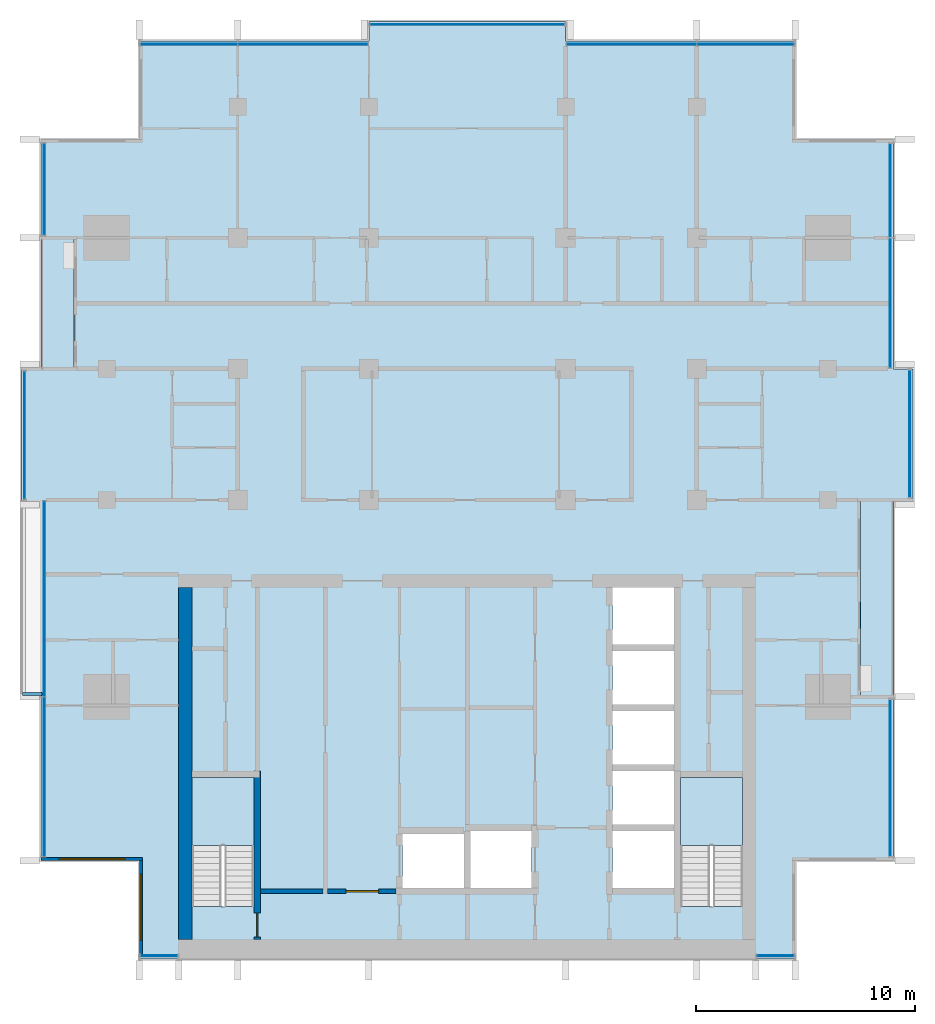
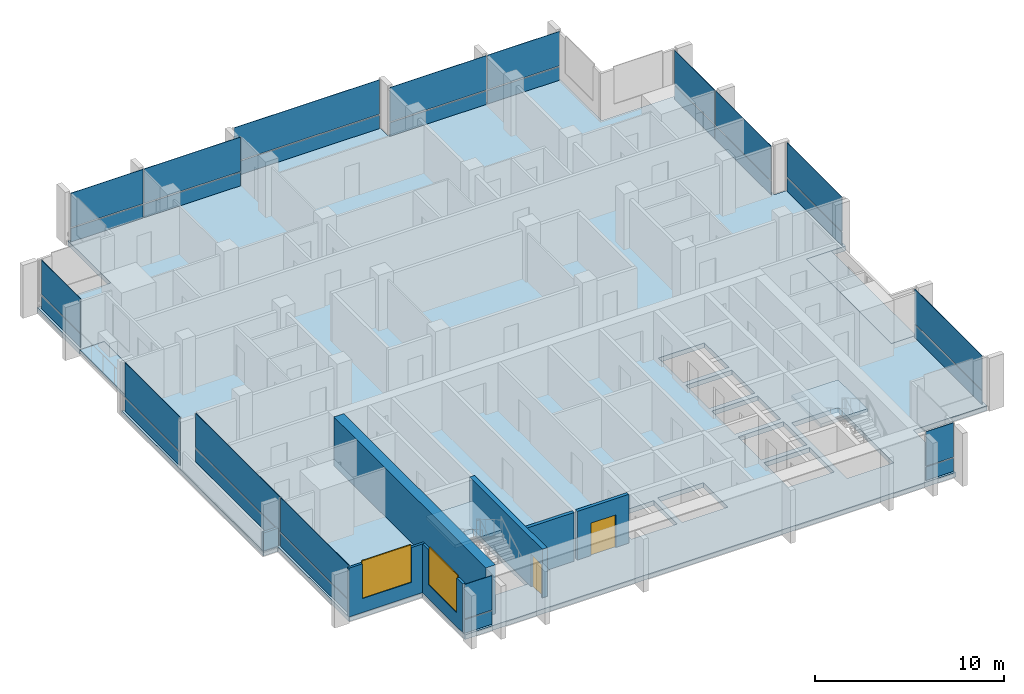
# One storey, part 6 of 16: 30 plates, 7 walls, 5 slabs, 2 doors, 2 windows, 4 openings, 13 elements without a shape of their own.
"""IFC4 building model written with IfcOpenShell, lengths in metres."""

from ifc_helpers import new_model, si_unit, direction, frame, frame_2d, origin, origin_2d, place, context, subcontext, project, spatial, polyline, rectangle, outline, extrude, material, layer, layer_set, type_object, element, fill, aggregate, save


model = new_model("IFC4")

# Units and contexts
model_context = context("Model", 3, precision=1e-05, world=origin(), true_north=direction((0.0, 1.0)))
body_context = subcontext(model_context, "Body", "Model", "MODEL_VIEW")
ifc_project = project(units=[si_unit("LENGTHUNIT", "METRE"), si_unit("AREAUNIT", "SQUARE_METRE"), si_unit("VOLUMEUNIT", "CUBIC_METRE"), si_unit("PLANEANGLEUNIT", "RADIAN"), si_unit("MASSUNIT", "GRAM", prefix="KILO")], contexts=[model_context])

# Site, building, storey
site_placement = place(None, origin())
site = spatial("IfcSite", under=ifc_project, at=site_placement, CompositionType="ELEMENT")
building_placement = place(site_placement, origin())
building = spatial("IfcBuilding", under=site, at=building_placement, Name="Finial Court Residences", CompositionType="ELEMENT")
storey_placement = place(building_placement, frame((0.0, 0.0, 244.699951171875)))
storey = spatial("IfcBuildingStorey", under=building, at=storey_placement, Name="L62", CompositionType="ELEMENT", Elevation=244.699951171875)

# Slabs
ifc_material_1 = material(Name="Concrete C35/45", Category="concrete")
ifc_layer_1 = layer(ifc_material_1, 0.199951171875)
ifc_layer_set_1 = layer_set([ifc_layer_1], Name="Balcony slab, Concrete C35/45 200")
slab_type_1 = type_object("IfcSlabType", Name="Balcony slab, Concrete C35/45 200", PredefinedType="FLOOR", material=ifc_layer_set_1)
slab_1_placement = place(storey_placement, frame((0.0, 0.0, -0.199951171875)))
element("IfcSlab", 1, at=slab_1_placement, inside=storey, type_object=slab_type_1, Name="Balcony L62-E2", PredefinedType="FLOOR", context=body_context, shape_type="SweptSolid", body=[
    extrude(outline(polyline([(19.5, -13.5), (19.5, -4.5), (18.0, -4.5), (18.0, -13.5), (19.5, -13.5)])), origin(), (0.0, 0.0, 1.0), 0.199951171875),
])
slab_2_placement = place(storey_placement, frame((0.0, 0.0, -0.199951171875)))
element("IfcSlab", 2, at=slab_2_placement, inside=storey, type_object=slab_type_1, Name="Balcony L62-W4", PredefinedType="FLOOR", context=body_context, shape_type="SweptSolid", body=[
    extrude(outline(polyline([(-18.0, 1.5), (-18.0, 7.5), (-19.5, 7.5), (-19.5, 1.5), (-18.0, 1.5)])), origin(), (0.0, 0.0, 1.0), 0.199951171875),
])

# Curtain wall, plates
ifc_material_2 = material(Name="Bronze anodised aluminium", Category="aluminium")
curtain_wall_type = type_object("IfcCurtainWallType", Name="Unitised curtain wall, upper zones", PredefinedType="NOTDEFINED", material=ifc_material_2)
curtain_wall_1_placement = place(storey_placement, origin())
curtain_wall_1 = element("IfcCurtainWall", 3, at=curtain_wall_1_placement, inside=storey, type_object=curtain_wall_type, Name="E-L62-CW-N1", PredefinedType="NOTDEFINED")
ifc_layer_2 = layer(ifc_material_2, 0.035888671875)
ifc_layer_set_2 = layer_set([ifc_layer_2], Name="CW2 spandrel panel 36")
plate_type_1 = type_object("IfcPlateType", Name="CW2 spandrel panel 36", PredefinedType="CURTAIN_PANEL", material=ifc_layer_set_2)
plate_1_placement = place(storey_placement, frame((-12.735107421875, 16.35009765625, 0.0), z_axis=(0.0, 0.0, 1.0), x_axis=(1.0, 0.0, 0.0)))
plate_1 = element("IfcPlate", 4, at=plate_1_placement, type_object=plate_type_1, Name="CW2 spandrel 1.1", PredefinedType="CURTAIN_PANEL", context=body_context, shape_type="SweptSolid", body=[
    extrude(rectangle(XDim=4.409912109375, YDim=0.035888671875, at=origin_2d()), origin(), (0.0, 0.0, 1.0), 0.8701171875),
])
plate_2_placement = place(storey_placement, frame((-7.514892578125, 16.35009765625, 0.0), z_axis=(0.0, 0.0, 1.0), x_axis=(1.0, 0.0, 0.0)))
plate_2 = element("IfcPlate", 5, at=plate_2_placement, type_object=plate_type_1, Name="CW2 spandrel 2.1", PredefinedType="CURTAIN_PANEL", context=body_context, shape_type="SweptSolid", body=[
    extrude(rectangle(XDim=5.909912109375, YDim=0.035888671875, at=origin_2d()), origin(), (0.0, 0.0, 1.0), 0.8701171875),
])

# Curtain wall, plate
curtain_wall_2_placement = place(storey_placement, origin())
curtain_wall_2 = element("IfcCurtainWall", 6, at=curtain_wall_2_placement, inside=storey, type_object=curtain_wall_type, Name="E-L62-CW-N2", PredefinedType="NOTDEFINED")
plate_3_placement = place(storey_placement, frame((0.0, 17.25, 0.0), z_axis=(0.0, 0.0, 1.0), x_axis=(1.0, 0.0, 0.0)))
plate_3 = element("IfcPlate", 7, at=plate_3_placement, type_object=plate_type_1, Name="CW2 spandrel 1.1", PredefinedType="CURTAIN_PANEL", context=body_context, shape_type="SweptSolid", body=[
    extrude(rectangle(XDim=8.8798828125, YDim=0.035888671875, at=origin_2d()), origin(), (0.0, 0.0, 1.0), 0.8701171875),
])

# Curtain wall, plates
curtain_wall_3_placement = place(storey_placement, origin())
curtain_wall_3 = element("IfcCurtainWall", 8, at=curtain_wall_3_placement, inside=storey, type_object=curtain_wall_type, Name="E-L62-CW-N3", PredefinedType="NOTDEFINED")
plate_4_placement = place(storey_placement, frame((7.514892578125, 16.35009765625, 0.0), z_axis=(0.0, 0.0, 1.0), x_axis=(1.0, 0.0, 0.0)))
plate_4 = element("IfcPlate", 9, at=plate_4_placement, type_object=plate_type_1, Name="CW2 spandrel 1.1", PredefinedType="CURTAIN_PANEL", context=body_context, shape_type="SweptSolid", body=[
    extrude(rectangle(XDim=5.909912109375, YDim=0.035888671875, at=origin_2d()), origin(), (0.0, 0.0, 1.0), 0.8701171875),
])
plate_5_placement = place(storey_placement, frame((12.735107421875, 16.35009765625, 0.0), z_axis=(0.0, 0.0, 1.0), x_axis=(1.0, 0.0, 0.0)))
plate_5 = element("IfcPlate", 10, at=plate_5_placement, type_object=plate_type_1, Name="CW2 spandrel 2.1", PredefinedType="CURTAIN_PANEL", context=body_context, shape_type="SweptSolid", body=[
    extrude(rectangle(XDim=4.409912109375, YDim=0.035888671875, at=origin_2d()), origin(), (0.0, 0.0, 1.0), 0.8701171875),
])

# Curtain wall, plate
curtain_wall_4_placement = place(storey_placement, origin())
curtain_wall_4 = element("IfcCurtainWall", 11, at=curtain_wall_4_placement, inside=storey, type_object=curtain_wall_type, Name="E-L62-CW-E4", PredefinedType="NOTDEFINED")
plate_6_placement = place(storey_placement, frame((19.35009765625, -17.21240234375, 0.0), z_axis=(0.0, 0.0, 1.0), x_axis=(0.0, 1.0, 0.0)))
plate_6 = element("IfcPlate", 12, at=plate_6_placement, type_object=plate_type_1, Name="CW2 spandrel 1.1", PredefinedType="CURTAIN_PANEL", context=body_context, shape_type="SweptSolid", body=[
    extrude(rectangle(XDim=7.155029296875, YDim=0.035888671875, at=origin_2d()), origin(), (0.0, 0.0, 1.0), 0.8701171875),
])

curtain_wall_5_placement = place(storey_placement, origin())
curtain_wall_5 = element("IfcCurtainWall", 13, at=curtain_wall_5_placement, inside=storey, type_object=curtain_wall_type, Name="E-L62-CW-E5", PredefinedType="NOTDEFINED")
plate_7_placement = place(storey_placement, frame((20.25, -1.46240234375, 0.0), z_axis=(0.0, 0.0, 1.0), x_axis=(0.0, 1.0, 0.0)))
plate_7 = element("IfcPlate", 14, at=plate_7_placement, type_object=plate_type_1, Name="CW2 spandrel 1.1", PredefinedType="CURTAIN_PANEL", context=body_context, shape_type="SweptSolid", body=[
    extrude(rectangle(XDim=5.804931640625, YDim=0.035888671875, at=origin_2d()), origin(), (0.0, 0.0, 1.0), 0.8701171875),
])

# Curtain wall, plates
curtain_wall_6_placement = place(storey_placement, origin())
curtain_wall_6 = element("IfcCurtainWall", 15, at=curtain_wall_6_placement, inside=storey, type_object=curtain_wall_type, Name="E-L62-CW-E6", PredefinedType="NOTDEFINED")
plate_8_placement = place(storey_placement, frame((19.35009765625, 4.514892578125, 0.0), z_axis=(0.0, 0.0, 1.0), x_axis=(0.0, 1.0, 0.0)))
plate_8 = element("IfcPlate", 16, at=plate_8_placement, type_object=plate_type_1, Name="CW2 spandrel 1.1", PredefinedType="CURTAIN_PANEL", context=body_context, shape_type="SweptSolid", body=[
    extrude(rectangle(XDim=5.909912109375, YDim=0.035888671875, at=origin_2d()), origin(), (0.0, 0.0, 1.0), 0.8701171875),
])
plate_9_placement = place(storey_placement, frame((19.35009765625, 9.659912109375, 0.0), z_axis=(0.0, 0.0, 1.0), x_axis=(0.0, 1.0, 0.0)))
plate_9 = element("IfcPlate", 17, at=plate_9_placement, type_object=plate_type_1, Name="CW2 spandrel 2.1", PredefinedType="CURTAIN_PANEL", context=body_context, shape_type="SweptSolid", body=[
    extrude(rectangle(XDim=4.260009765625, YDim=0.035888671875, at=origin_2d()), origin(), (0.0, 0.0, 1.0), 0.8701171875),
])

# Curtain wall, plate
curtain_wall_7_placement = place(storey_placement, origin())
curtain_wall_7 = element("IfcCurtainWall", 18, at=curtain_wall_7_placement, inside=storey, type_object=curtain_wall_type, Name="E-L62-CW-S7", PredefinedType="NOTDEFINED")
plate_10_placement = place(storey_placement, frame((-14.10009765625, -25.35009765625, 0.0), z_axis=(0.0, 0.0, 1.0), x_axis=(1.0, 0.0, 0.0)))
plate_10 = element("IfcPlate", 19, at=plate_10_placement, type_object=plate_type_1, Name="CW2 spandrel 1.1", PredefinedType="CURTAIN_PANEL", context=body_context, shape_type="SweptSolid", body=[
    extrude(rectangle(XDim=1.679931640625, YDim=0.035888671875, at=origin_2d()), origin(), (0.0, 0.0, 1.0), 0.8701171875),
])

curtain_wall_8_placement = place(storey_placement, origin())
curtain_wall_8 = element("IfcCurtainWall", 20, at=curtain_wall_8_placement, inside=storey, type_object=curtain_wall_type, Name="E-L62-CW-S8", PredefinedType="NOTDEFINED")
plate_11_placement = place(storey_placement, frame((14.10009765625, -25.35009765625, 0.0), z_axis=(0.0, 0.0, 1.0), x_axis=(1.0, 0.0, 0.0)))
plate_11 = element("IfcPlate", 21, at=plate_11_placement, type_object=plate_type_1, Name="CW2 spandrel 1.1", PredefinedType="CURTAIN_PANEL", context=body_context, shape_type="SweptSolid", body=[
    extrude(rectangle(XDim=1.679931640625, YDim=0.035888671875, at=origin_2d()), origin(), (0.0, 0.0, 1.0), 0.8701171875),
])

# Curtain wall, plates
curtain_wall_9_placement = place(storey_placement, origin())
curtain_wall_9 = element("IfcCurtainWall", 22, at=curtain_wall_9_placement, inside=storey, type_object=curtain_wall_type, Name="E-L62-CW-W9", PredefinedType="NOTDEFINED")
plate_12_placement = place(storey_placement, frame((-19.35009765625, -17.159912109375, 0.0), z_axis=(0.0, 0.0, 1.0), x_axis=(0.0, 1.0, 0.0)))
plate_12 = element("IfcPlate", 23, at=plate_12_placement, type_object=plate_type_1, Name="CW2 spandrel 1.1", PredefinedType="CURTAIN_PANEL", context=body_context, shape_type="SweptSolid", body=[
    extrude(rectangle(XDim=7.260009765625, YDim=0.035888671875, at=origin_2d()), origin(), (0.0, 0.0, 1.0), 0.8701171875),
])
plate_13_placement = place(storey_placement, frame((-19.35009765625, -9.014892578125, 0.0), z_axis=(0.0, 0.0, 1.0), x_axis=(0.0, 1.0, 0.0)))
plate_13 = element("IfcPlate", 24, at=plate_13_placement, type_object=plate_type_1, Name="CW2 spandrel 2.1", PredefinedType="CURTAIN_PANEL", context=body_context, shape_type="SweptSolid", body=[
    extrude(rectangle(XDim=8.909912109375, YDim=0.035888671875, at=origin_2d()), origin(), (0.0, 0.0, 1.0), 0.8701171875),
])

# Curtain wall, plate
curtain_wall_10_placement = place(storey_placement, origin())
curtain_wall_10 = element("IfcCurtainWall", 25, at=curtain_wall_10_placement, inside=storey, type_object=curtain_wall_type, Name="E-L62-CW-W10", PredefinedType="NOTDEFINED")
plate_14_placement = place(storey_placement, frame((-20.25, -1.53759765625, 0.0), z_axis=(0.0, 0.0, 1.0), x_axis=(0.0, 1.0, 0.0)))
plate_14 = element("IfcPlate", 26, at=plate_14_placement, type_object=plate_type_1, Name="CW2 spandrel 1.1", PredefinedType="CURTAIN_PANEL", context=body_context, shape_type="SweptSolid", body=[
    extrude(rectangle(XDim=5.804931640625, YDim=0.035888671875, at=origin_2d()), origin(), (0.0, 0.0, 1.0), 0.8701171875),
])

curtain_wall_11_placement = place(storey_placement, origin())
curtain_wall_11 = element("IfcCurtainWall", 27, at=curtain_wall_11_placement, inside=storey, type_object=curtain_wall_type, Name="E-L62-CW-W11", PredefinedType="NOTDEFINED")
plate_15_placement = place(storey_placement, frame((-19.35009765625, 9.71240234375, 0.0), z_axis=(0.0, 0.0, 1.0), x_axis=(0.0, 1.0, 0.0)))
plate_15 = element("IfcPlate", 28, at=plate_15_placement, type_object=plate_type_1, Name="CW2 spandrel 1.1", PredefinedType="CURTAIN_PANEL", context=body_context, shape_type="SweptSolid", body=[
    extrude(rectangle(XDim=4.155029296875, YDim=0.035888671875, at=origin_2d()), origin(), (0.0, 0.0, 1.0), 0.8701171875),
])

# Plate
ifc_material_3 = material(Name="Clear low-e glass", Category="glass")
ifc_layer_3 = layer(ifc_material_3, 0.030029296875)
ifc_layer_set_3 = layer_set([ifc_layer_3], Name="CW2 vision glass 30")
plate_type_2 = type_object("IfcPlateType", Name="CW2 vision glass 30", PredefinedType="CURTAIN_PANEL", material=ifc_layer_set_3)
plate_16_placement = place(storey_placement, frame((-12.735107421875, 16.35009765625, 0.93017578125), z_axis=(0.0, 0.0, 1.0), x_axis=(1.0, 0.0, 0.0)))
plate_16 = element("IfcPlate", 29, at=plate_16_placement, type_object=plate_type_2, Name="CW2 glass 1.2", PredefinedType="CURTAIN_PANEL", context=body_context, shape_type="SweptSolid", body=[
    extrude(rectangle(XDim=4.409912109375, YDim=0.030029296875, at=origin_2d()), origin(), (0.0, 0.0, 1.0), 2.219970703125),
])

plate_17_placement = place(storey_placement, frame((-7.514892578125, 16.35009765625, 0.93017578125), z_axis=(0.0, 0.0, 1.0), x_axis=(1.0, 0.0, 0.0)))
plate_17 = element("IfcPlate", 30, at=plate_17_placement, type_object=plate_type_2, Name="CW2 glass 2.2", PredefinedType="CURTAIN_PANEL", context=body_context, shape_type="SweptSolid", body=[
    extrude(rectangle(XDim=5.909912109375, YDim=0.030029296875, at=origin_2d()), origin(), (0.0, 0.0, 1.0), 2.219970703125),
])

aggregate(curtain_wall_1, [plate_1, plate_16, plate_2, plate_17])

plate_18_placement = place(storey_placement, frame((0.0, 17.25, 0.93017578125), z_axis=(0.0, 0.0, 1.0), x_axis=(1.0, 0.0, 0.0)))
plate_18 = element("IfcPlate", 31, at=plate_18_placement, type_object=plate_type_2, Name="CW2 glass 1.2", PredefinedType="CURTAIN_PANEL", context=body_context, shape_type="SweptSolid", body=[
    extrude(rectangle(XDim=8.8798828125, YDim=0.030029296875, at=origin_2d()), origin(), (0.0, 0.0, 1.0), 2.219970703125),
])

aggregate(curtain_wall_2, [plate_3, plate_18])

plate_19_placement = place(storey_placement, frame((7.514892578125, 16.35009765625, 0.93017578125), z_axis=(0.0, 0.0, 1.0), x_axis=(1.0, 0.0, 0.0)))
plate_19 = element("IfcPlate", 32, at=plate_19_placement, type_object=plate_type_2, Name="CW2 glass 1.2", PredefinedType="CURTAIN_PANEL", context=body_context, shape_type="SweptSolid", body=[
    extrude(rectangle(XDim=5.909912109375, YDim=0.030029296875, at=origin_2d()), origin(), (0.0, 0.0, 1.0), 2.219970703125),
])

plate_20_placement = place(storey_placement, frame((12.735107421875, 16.35009765625, 0.93017578125), z_axis=(0.0, 0.0, 1.0), x_axis=(1.0, 0.0, 0.0)))
plate_20 = element("IfcPlate", 33, at=plate_20_placement, type_object=plate_type_2, Name="CW2 glass 2.2", PredefinedType="CURTAIN_PANEL", context=body_context, shape_type="SweptSolid", body=[
    extrude(rectangle(XDim=4.409912109375, YDim=0.030029296875, at=origin_2d()), origin(), (0.0, 0.0, 1.0), 2.219970703125),
])

aggregate(curtain_wall_3, [plate_4, plate_19, plate_5, plate_20])

plate_21_placement = place(storey_placement, frame((19.35009765625, -17.21240234375, 0.93017578125), z_axis=(0.0, 0.0, 1.0), x_axis=(0.0, 1.0, 0.0)))
plate_21 = element("IfcPlate", 34, at=plate_21_placement, type_object=plate_type_2, Name="CW2 glass 1.2", PredefinedType="CURTAIN_PANEL", context=body_context, shape_type="SweptSolid", body=[
    extrude(rectangle(XDim=7.155029296875, YDim=0.030029296875, at=origin_2d()), origin(), (0.0, 0.0, 1.0), 2.219970703125),
])

aggregate(curtain_wall_4, [plate_6, plate_21])

plate_22_placement = place(storey_placement, frame((20.25, -1.46240234375, 0.93017578125), z_axis=(0.0, 0.0, 1.0), x_axis=(0.0, 1.0, 0.0)))
plate_22 = element("IfcPlate", 35, at=plate_22_placement, type_object=plate_type_2, Name="CW2 glass 1.2", PredefinedType="CURTAIN_PANEL", context=body_context, shape_type="SweptSolid", body=[
    extrude(rectangle(XDim=5.804931640625, YDim=0.030029296875, at=origin_2d()), origin(), (0.0, 0.0, 1.0), 2.219970703125),
])

aggregate(curtain_wall_5, [plate_7, plate_22])

plate_23_placement = place(storey_placement, frame((19.35009765625, 4.514892578125, 0.93017578125), z_axis=(0.0, 0.0, 1.0), x_axis=(0.0, 1.0, 0.0)))
plate_23 = element("IfcPlate", 36, at=plate_23_placement, type_object=plate_type_2, Name="CW2 glass 1.2", PredefinedType="CURTAIN_PANEL", context=body_context, shape_type="SweptSolid", body=[
    extrude(rectangle(XDim=5.909912109375, YDim=0.030029296875, at=origin_2d()), origin(), (0.0, 0.0, 1.0), 2.219970703125),
])

plate_24_placement = place(storey_placement, frame((19.35009765625, 9.659912109375, 0.93017578125), z_axis=(0.0, 0.0, 1.0), x_axis=(0.0, 1.0, 0.0)))
plate_24 = element("IfcPlate", 37, at=plate_24_placement, type_object=plate_type_2, Name="CW2 glass 2.2", PredefinedType="CURTAIN_PANEL", context=body_context, shape_type="SweptSolid", body=[
    extrude(rectangle(XDim=4.260009765625, YDim=0.030029296875, at=origin_2d()), origin(), (0.0, 0.0, 1.0), 2.219970703125),
])

aggregate(curtain_wall_6, [plate_8, plate_23, plate_9, plate_24])

plate_25_placement = place(storey_placement, frame((-14.10009765625, -25.35009765625, 0.93017578125), z_axis=(0.0, 0.0, 1.0), x_axis=(1.0, 0.0, 0.0)))
plate_25 = element("IfcPlate", 38, at=plate_25_placement, type_object=plate_type_2, Name="CW2 glass 1.2", PredefinedType="CURTAIN_PANEL", context=body_context, shape_type="SweptSolid", body=[
    extrude(rectangle(XDim=1.679931640625, YDim=0.030029296875, at=origin_2d()), origin(), (0.0, 0.0, 1.0), 2.219970703125),
])

aggregate(curtain_wall_7, [plate_10, plate_25])

plate_26_placement = place(storey_placement, frame((14.10009765625, -25.35009765625, 0.93017578125), z_axis=(0.0, 0.0, 1.0), x_axis=(1.0, 0.0, 0.0)))
plate_26 = element("IfcPlate", 39, at=plate_26_placement, type_object=plate_type_2, Name="CW2 glass 1.2", PredefinedType="CURTAIN_PANEL", context=body_context, shape_type="SweptSolid", body=[
    extrude(rectangle(XDim=1.679931640625, YDim=0.030029296875, at=origin_2d()), origin(), (0.0, 0.0, 1.0), 2.219970703125),
])

aggregate(curtain_wall_8, [plate_11, plate_26])

plate_27_placement = place(storey_placement, frame((-19.35009765625, -17.159912109375, 0.93017578125), z_axis=(0.0, 0.0, 1.0), x_axis=(0.0, 1.0, 0.0)))
plate_27 = element("IfcPlate", 40, at=plate_27_placement, type_object=plate_type_2, Name="CW2 glass 1.2", PredefinedType="CURTAIN_PANEL", context=body_context, shape_type="SweptSolid", body=[
    extrude(rectangle(XDim=7.260009765625, YDim=0.030029296875, at=origin_2d()), origin(), (0.0, 0.0, 1.0), 2.219970703125),
])

plate_28_placement = place(storey_placement, frame((-19.35009765625, -9.014892578125, 0.93017578125), z_axis=(0.0, 0.0, 1.0), x_axis=(0.0, 1.0, 0.0)))
plate_28 = element("IfcPlate", 41, at=plate_28_placement, type_object=plate_type_2, Name="CW2 glass 2.2", PredefinedType="CURTAIN_PANEL", context=body_context, shape_type="SweptSolid", body=[
    extrude(rectangle(XDim=8.909912109375, YDim=0.030029296875, at=origin_2d()), origin(), (0.0, 0.0, 1.0), 2.219970703125),
])

aggregate(curtain_wall_9, [plate_12, plate_27, plate_13, plate_28])

plate_29_placement = place(storey_placement, frame((-20.25, -1.53759765625, 0.93017578125), z_axis=(0.0, 0.0, 1.0), x_axis=(0.0, 1.0, 0.0)))
plate_29 = element("IfcPlate", 42, at=plate_29_placement, type_object=plate_type_2, Name="CW2 glass 1.2", PredefinedType="CURTAIN_PANEL", context=body_context, shape_type="SweptSolid", body=[
    extrude(rectangle(XDim=5.804931640625, YDim=0.030029296875, at=origin_2d()), origin(), (0.0, 0.0, 1.0), 2.219970703125),
])

aggregate(curtain_wall_10, [plate_14, plate_29])

plate_30_placement = place(storey_placement, frame((-19.35009765625, 9.71240234375, 0.93017578125), z_axis=(0.0, 0.0, 1.0), x_axis=(0.0, 1.0, 0.0)))
plate_30 = element("IfcPlate", 43, at=plate_30_placement, type_object=plate_type_2, Name="CW2 glass 1.2", PredefinedType="CURTAIN_PANEL", context=body_context, shape_type="SweptSolid", body=[
    extrude(rectangle(XDim=4.155029296875, YDim=0.030029296875, at=origin_2d()), origin(), (0.0, 0.0, 1.0), 2.219970703125),
])

aggregate(curtain_wall_11, [plate_15, plate_30])

# Stair, slab
ifc_material_4 = material(Name="Concrete C50/60", Category="concrete")
stair_type = type_object("IfcStairType", Name="Exit stair 22 risers of 163.6 mm", PredefinedType="HALF_TURN_STAIR", material=ifc_material_4)
stair_1_placement = place(storey_placement, origin())
stair_1 = element("IfcStair", 44, at=stair_1_placement, inside=storey, type_object=stair_type, Name="L62 Exit stair ST-1", PredefinedType="HALF_TURN_STAIR")
ifc_layer_4 = layer(ifc_material_4, 0.199951171875)
ifc_layer_set_4 = layer_set([ifc_layer_4], Name="Exit stair landing")
slab_type_2 = type_object("IfcSlabType", Name="Exit stair landing", PredefinedType="LANDING", material=ifc_layer_set_4)
slab_3_placement = place(storey_placement, frame((0.0, 0.0, 1.60009765625)))
slab_3 = element("IfcSlab", 45, at=slab_3_placement, type_object=slab_type_2, Name="ST-1 landing 1", PredefinedType="LANDING", context=body_context, shape_type="SweptSolid", body=[
    extrude(outline(polyline([(-9.75, -20.300048828125), (-9.75, -17.199951171875), (-12.60009765625, -17.199951171875), (-12.60009765625, -20.300048828125), (-9.75, -20.300048828125)])), origin(), (0.0, 0.0, 1.0), 0.199951171875),
])
aggregate(stair_1, [slab_3])

stair_2_placement = place(storey_placement, origin())
stair_2 = element("IfcStair", 46, at=stair_2_placement, inside=storey, type_object=stair_type, Name="L62 Exit stair ST-2", PredefinedType="HALF_TURN_STAIR")
slab_4_placement = place(storey_placement, frame((0.0, 0.0, 1.60009765625)))
slab_4 = element("IfcSlab", 47, at=slab_4_placement, type_object=slab_type_2, Name="ST-2 landing 1", PredefinedType="LANDING", context=body_context, shape_type="SweptSolid", body=[
    extrude(outline(polyline([(12.60009765625, -20.300048828125), (12.60009765625, -17.199951171875), (9.75, -17.199951171875), (9.75, -20.300048828125), (12.60009765625, -20.300048828125)])), origin(), (0.0, 0.0, 1.0), 0.199951171875),
])
aggregate(stair_2, [slab_4])

# Slab
ifc_material_5 = material(Name="Concrete C40/50", Category="concrete")
ifc_layer_5 = layer(ifc_material_5, 0.300048828125)
ifc_layer_set_5 = layer_set([ifc_layer_5], Name="Flat plate slab 300 Concrete C40/50")
slab_type_3 = type_object("IfcSlabType", Name="Flat plate slab 300 Concrete C40/50", PredefinedType="FLOOR", material=ifc_layer_set_5)
slab_5_placement = place(storey_placement, frame((0.0, 0.0, -0.300048828125)))
element("IfcSlab", 48, at=slab_5_placement, inside=storey, type_object=slab_type_3, Name="S:SLAB:L62", PredefinedType="FLOOR", context=body_context, shape_type="SweptSolid", body=[
    extrude(outline(polyline([(-20.39990234375, -13.5), (-20.39990234375, -4.5), (-20.39990234375, 1.5), (-19.5, 1.5), (-18.0, 1.5), (-18.0, 7.5), (-19.5, 7.5), (-19.5, 12.0), (-15.0, 12.0), (-15.0, 16.5), (-4.5, 16.5), (-4.5, 17.39990234375), (4.5, 17.39990234375), (4.5, 16.5), (15.0, 16.5), (15.0, 12.0), (19.5, 12.0), (19.5, 1.5), (20.39990234375, 1.5), (20.39990234375, -4.5), (19.5, -4.5), (18.0, -4.5), (18.0, -13.5), (19.5, -13.5), (19.5, -21.0), (15.0, -21.0), (15.0, -25.5), (-15.0, -25.5), (-15.0, -21.0), (-19.5, -21.0), (-19.5, -13.5), (-20.39990234375, -13.5)]), holes=[polyline([(-0.14990234375, -19.77001953125), (-2.949951171875, -19.77001953125), (-2.949951171875, -22.25), (-0.14990234375, -22.25), (-0.14990234375, -19.77001953125)]), polyline([(2.949951171875, -19.64990234375), (0.14990234375, -19.64990234375), (0.14990234375, -22.25), (2.949951171875, -22.25), (2.949951171875, -19.64990234375)]), polyline([(9.449951171875, -19.64990234375), (6.64990234375, -19.64990234375), (6.64990234375, -22.25), (9.449951171875, -22.25), (9.449951171875, -19.64990234375)]), polyline([(-12.60009765625, -17.199951171875), (-12.60009765625, -23.09912109375), (-9.75, -23.09912109375), (-9.75, -17.199951171875), (-12.60009765625, -17.199951171875)]), polyline([(9.75, -17.199951171875), (9.75, -23.09912109375), (12.60009765625, -23.09912109375), (12.60009765625, -17.199951171875), (9.75, -17.199951171875)]), polyline([(9.449951171875, -16.89990234375), (6.64990234375, -16.89990234375), (6.64990234375, -19.35009765625), (9.449951171875, -19.35009765625), (9.449951171875, -16.89990234375)]), polyline([(9.449951171875, -14.14990234375), (6.64990234375, -14.14990234375), (6.64990234375, -16.60009765625), (9.449951171875, -16.60009765625), (9.449951171875, -14.14990234375)]), polyline([(9.449951171875, -13.85009765625), (9.449951171875, -11.39990234375), (6.64990234375, -11.39990234375), (6.64990234375, -13.85009765625), (9.449951171875, -13.85009765625)]), polyline([(9.449951171875, -11.10009765625), (9.449951171875, -8.5), (6.64990234375, -8.5), (6.64990234375, -11.10009765625), (9.449951171875, -11.10009765625)])]), origin(), (0.0, 0.0, 1.0), 0.300048828125),
])

# Walls
ifc_material_6 = material(Name="Concrete C60/75", Category="concrete")
ifc_layer_6 = layer(ifc_material_6, 0.60009765625)
ifc_layer_set_6 = layer_set([ifc_layer_6], Name="Core outer wall 600 Concrete C60/75")
wall_type_1 = type_object("IfcWallType", Name="Core outer wall 600 Concrete C60/75", PredefinedType="SHEAR", material=ifc_layer_set_6)
wall_1_placement = place(storey_placement, frame((-12.89990234375, -24.60009765625, 0.0), z_axis=(0.0, 0.0, 1.0), x_axis=(0.0, 1.0, 0.0)))
element("IfcWall", 49, at=wall_1_placement, inside=storey, type_object=wall_type_1, Name="Core outer wall L62-03", PredefinedType="SHEAR", context=body_context, shape_type="SweptSolid", body=[
    extrude(rectangle(XDim=16.10009765625, YDim=0.60009765625, at=frame_2d((8.050048828125, 0.0))), origin(), (0.0, 0.0, 1.0), 3.150146484375),
])
ifc_layer_7 = layer(ifc_material_1, 0.14990234375)
ifc_layer_set_7 = layer_set([ifc_layer_7], Name="Ledge parapet, Concrete C35/45 150")
wall_type_2 = type_object("IfcWallType", Name="Ledge parapet, Concrete C35/45 150", PredefinedType="PARAPET", material=ifc_layer_set_7)
wall_2_placement = place(storey_placement, frame((-19.447509765625, -13.375, 0.0), z_axis=(0.0, 0.0, 1.0), x_axis=(-1.0, 0.0, 0.0)))
element("IfcWall", 50, at=wall_2_placement, inside=storey, type_object=wall_type_2, Name="E-L62-LED1-P1", PredefinedType="PARAPET", context=body_context, shape_type="SweptSolid", body=[
    extrude(rectangle(XDim=0.902587890625, YDim=0.14990234375, at=frame_2d((0.451171875, 0.0))), origin(), (0.0, 0.0, 1.0), 1.150146484375),
])

# Wall, opening, door
ifc_layer_8 = layer(ifc_material_6, 0.300048828125)
ifc_layer_set_8 = layer_set([ifc_layer_8], Name="Lift shaft and stair wall 300 Concrete C60/75")
wall_type_3 = type_object("IfcWallType", Name="Lift shaft and stair wall 300 Concrete C60/75", PredefinedType="SHEAR", material=ifc_layer_set_8)
wall_3_placement = place(storey_placement, frame((-9.60009765625, -24.60009765625, 0.0), z_axis=(0.0, 0.0, 1.0), x_axis=(0.0, 1.0, 0.0)))
wall_3 = element("IfcWall", 51, at=wall_3_placement, inside=storey, type_object=wall_type_3, Name="Core wall L62-20", PredefinedType="SHEAR", context=body_context, shape_type="SweptSolid", body=[
    extrude(rectangle(XDim=7.7001953125, YDim=0.300048828125, at=frame_2d((3.85009765625, 0.0))), origin(), (0.0, 0.0, 1.0), 3.150146484375),
])
opening_1_placement = place(wall_3_placement, frame((0.10009765625, 0.0, 0.0)))
opening_1 = element("IfcOpeningElement", 52, at=opening_1_placement, cuts=wall_3, Name="Opening L62-C19", PredefinedType="OPENING", context=body_context, shape_type="SweptSolid", body=[
    extrude(rectangle(XDim=1.10009765625, YDim=2.10009765625, at=frame_2d((0.550048828125, 1.050048828125))), frame((0.0, 0.159912109375, 0.0), z_axis=(0.0, -1.0, 0.0), x_axis=(1.0, 0.0, 0.0)), (0.0, 0.0, 1.0), 0.320068359375),
])
ifc_material_7 = material(Name="Steel fire door", Category="steel")
door_type_1 = type_object("IfcDoorType", Name="Stair door 1100 x 2100 EI 90", OperationType="NOTDEFINED", PredefinedType="DOOR", material=ifc_material_7)
door_1_placement = place(opening_1_placement, origin())
door_1 = element("IfcDoor", 53, at=door_1_placement, inside=storey, type_object=door_type_1, Name="Stair door L62-C19", OperationType="SINGLE_SWING_LEFT", OverallHeight=2.10009765625, OverallWidth=1.10009765625, PredefinedType="DOOR", context=body_context, shape_type="SweptSolid", body=[
    extrude(rectangle(XDim=1.10009765625, YDim=2.10009765625, at=frame_2d((0.550048828125, 1.050048828125))), frame((0.0, 0.02490234375, 0.0), z_axis=(0.0, -1.0, 0.0), x_axis=(1.0, 0.0, 0.0)), (0.0, 0.0, 1.0), 0.050048828125),
])
fill(opening_1, door_1)

# Wall, opening, window
ifc_material_8 = material(Name="Natural limestone", Category="masonry")
ifc_layer_9 = layer(ifc_material_8, 0.14990234375)
ifc_layer_set_9 = layer_set([ifc_layer_9], Name="Limestone clad wall 150")
wall_type_4 = type_object("IfcWallType", Name="Limestone clad wall 150", PredefinedType="SOLIDWALL", material=ifc_layer_set_9)
wall_4_placement = place(storey_placement, frame((-14.925048828125, -25.262451171875, 0.0), z_axis=(0.0, 0.0, 1.0), x_axis=(0.0, 1.0, 0.0)))
wall_4 = element("IfcWall", 54, at=wall_4_placement, inside=storey, type_object=wall_type_4, Name="E-L62-NWW12", PredefinedType="SOLIDWALL", context=body_context, shape_type="SweptSolid", body=[
    extrude(rectangle(XDim=4.262451171875, YDim=0.14990234375, at=frame_2d((2.13134765625, 0.0))), origin(), (0.0, 0.0, 1.0), 3.150146484375),
])
opening_2_placement = place(wall_4_placement, frame((0.631103515625, 0.0, 0.89990234375)))
opening_2 = element("IfcOpeningElement", 55, at=opening_2_placement, cuts=wall_4, Name="Opening WE62-01", PredefinedType="OPENING", context=body_context, shape_type="SweptSolid", body=[
    extrude(rectangle(XDim=3.0, YDim=2.39990234375, at=frame_2d((1.5, 1.199951171875))), frame((0.0, 0.0849609375, 0.0), z_axis=(0.0, -1.0, 0.0), x_axis=(1.0, 0.0, 0.0)), (0.0, 0.0, 1.0), 0.169921875),
])
window_type = type_object("IfcWindowType", Name="Corner window 3000 x 2400", PartitioningType="SINGLE_PANEL", PredefinedType="WINDOW", material=ifc_material_3)
window_1_placement = place(opening_2_placement, origin())
window_1 = element("IfcWindow", 56, at=window_1_placement, inside=storey, type_object=window_type, Name="E-L62-NWW12-W1", OverallHeight=2.39990234375, OverallWidth=3.0, PartitioningType="SINGLE_PANEL", PredefinedType="WINDOW", context=body_context, shape_type="SweptSolid", body=[
    extrude(rectangle(XDim=3.0, YDim=2.39990234375, at=frame_2d((1.5, 1.199951171875))), frame((0.0, 0.030029296875, 0.0), z_axis=(0.0, -1.0, 0.0), x_axis=(1.0, 0.0, 0.0)), (0.0, 0.0, 1.0), 0.06005859375),
])
fill(opening_2, window_1)

wall_5_placement = place(storey_placement, frame((-14.85009765625, -20.925048828125, 0.0), z_axis=(0.0, 0.0, 1.0), x_axis=(-1.0, 0.0, 0.0)))
wall_5 = element("IfcWall", 57, at=wall_5_placement, inside=storey, type_object=wall_type_4, Name="E-L62-NWS13", PredefinedType="SOLIDWALL", context=body_context, shape_type="SweptSolid", body=[
    extrude(rectangle(XDim=4.64990234375, YDim=0.14990234375, at=frame_2d((2.324951171875, 0.0))), origin(), (0.0, 0.0, 1.0), 3.150146484375),
])
opening_3_placement = place(wall_5_placement, frame((0.824951171875, 0.0, 0.89990234375)))
opening_3 = element("IfcOpeningElement", 58, at=opening_3_placement, cuts=wall_5, Name="Opening WE62-02", PredefinedType="OPENING", context=body_context, shape_type="SweptSolid", body=[
    extrude(rectangle(XDim=3.0, YDim=2.39990234375, at=frame_2d((1.5, 1.199951171875))), frame((0.0, 0.0849609375, 0.0), z_axis=(0.0, -1.0, 0.0), x_axis=(1.0, 0.0, 0.0)), (0.0, 0.0, 1.0), 0.169921875),
])
window_2_placement = place(opening_3_placement, origin())
window_2 = element("IfcWindow", 59, at=window_2_placement, inside=storey, type_object=window_type, Name="E-L62-NWS13-W1", OverallHeight=2.39990234375, OverallWidth=3.0, PartitioningType="SINGLE_PANEL", PredefinedType="WINDOW", context=body_context, shape_type="SweptSolid", body=[
    extrude(rectangle(XDim=3.0, YDim=2.39990234375, at=frame_2d((1.5, 1.199951171875))), frame((0.0, 0.030029296875, 0.0), z_axis=(0.0, -1.0, 0.0), x_axis=(1.0, 0.0, 0.0)), (0.0, 0.0, 1.0), 0.06005859375),
])
fill(opening_3, window_2)

# Wall
ifc_material_9 = material(Name="Fire-rated gypsum board partition")
ifc_layer_10 = layer(ifc_material_9, 0.199951171875)
ifc_layer_set_10 = layer_set([ifc_layer_10], Name="Riser room wall 200 EI 120")
wall_type_5 = type_object("IfcWallType", Name="Riser room wall 200 EI 120", PredefinedType="PARTITIONING", material=ifc_layer_set_10)
wall_6_placement = place(storey_placement, frame((-9.449951171875, -22.39990234375, 0.0), z_axis=(0.0, 0.0, 1.0), x_axis=(1.0, 0.0, 0.0)))
element("IfcWall", 60, at=wall_6_placement, inside=storey, type_object=wall_type_5, Name="Core partition L62-01", PredefinedType="PARTITIONING", context=body_context, shape_type="SweptSolid", body=[
    extrude(rectangle(XDim=2.849853515625, YDim=0.199951171875, at=frame_2d((1.4248046875, 0.0))), origin(), (0.0, 0.0, 1.0), 3.150146484375),
])

# Wall, opening, door
ifc_layer_11 = layer(ifc_material_9, 0.199951171875)
ifc_layer_set_11 = layer_set([ifc_layer_11], Name="Stair passage wall 200 EI 180")
wall_type_6 = type_object("IfcWallType", Name="Stair passage wall 200 EI 180", PredefinedType="PARTITIONING", material=ifc_layer_set_11)
wall_7_placement = place(storey_placement, frame((-3.25, -22.39990234375, 0.0), z_axis=(0.0, 0.0, 1.0), x_axis=(-1.0, 0.0, 0.0)))
wall_7 = element("IfcWall", 61, at=wall_7_placement, inside=storey, type_object=wall_type_6, Name="Core partition L62-02", PredefinedType="PARTITIONING", context=body_context, shape_type="SweptSolid", body=[
    extrude(rectangle(XDim=3.14990234375, YDim=0.199951171875, at=frame_2d((1.574951171875, 0.0))), origin(), (0.0, 0.0, 1.0), 3.150146484375),
])
opening_4_placement = place(wall_7_placement, frame((0.800048828125, 0.0, 0.0)))
opening_4 = element("IfcOpeningElement", 62, at=opening_4_placement, cuts=wall_7, Name="Opening L62-C03", PredefinedType="OPENING", context=body_context, shape_type="SweptSolid", body=[
    extrude(rectangle(XDim=1.5, YDim=2.10009765625, at=frame_2d((0.75, 1.050048828125))), frame((0.0, 0.10986328125, 0.0), z_axis=(0.0, -1.0, 0.0), x_axis=(1.0, 0.0, 0.0)), (0.0, 0.0, 1.0), 0.219970703125),
])
door_type_2 = type_object("IfcDoorType", Name="Lift lobby door 1500 x 2100 EI 60", OperationType="DOUBLE_DOOR_SINGLE_SWING", PredefinedType="DOOR", material=ifc_material_7)
door_2_placement = place(opening_4_placement, origin())
door_2 = element("IfcDoor", 63, at=door_2_placement, inside=storey, type_object=door_type_2, Name="Lift lobby door L62-C03", OperationType="DOUBLE_DOOR_SINGLE_SWING", OverallHeight=2.10009765625, OverallWidth=1.5, PredefinedType="DOOR", context=body_context, shape_type="SweptSolid", body=[
    extrude(rectangle(XDim=1.5, YDim=2.10009765625, at=frame_2d((0.75, 1.050048828125))), frame((0.0, 0.02490234375, 0.0), z_axis=(0.0, -1.0, 0.0), x_axis=(1.0, 0.0, 0.0)), (0.0, 0.0, 1.0), 0.050048828125),
])
fill(opening_4, door_2)

save(model, "model.ifc")
